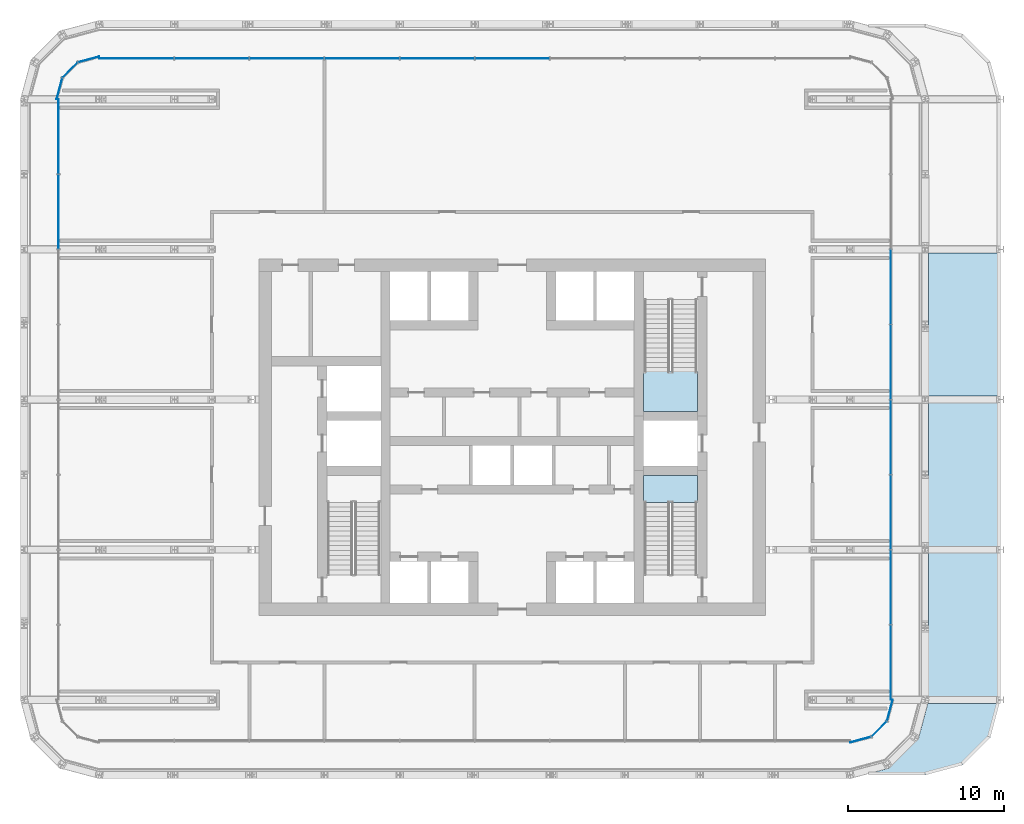
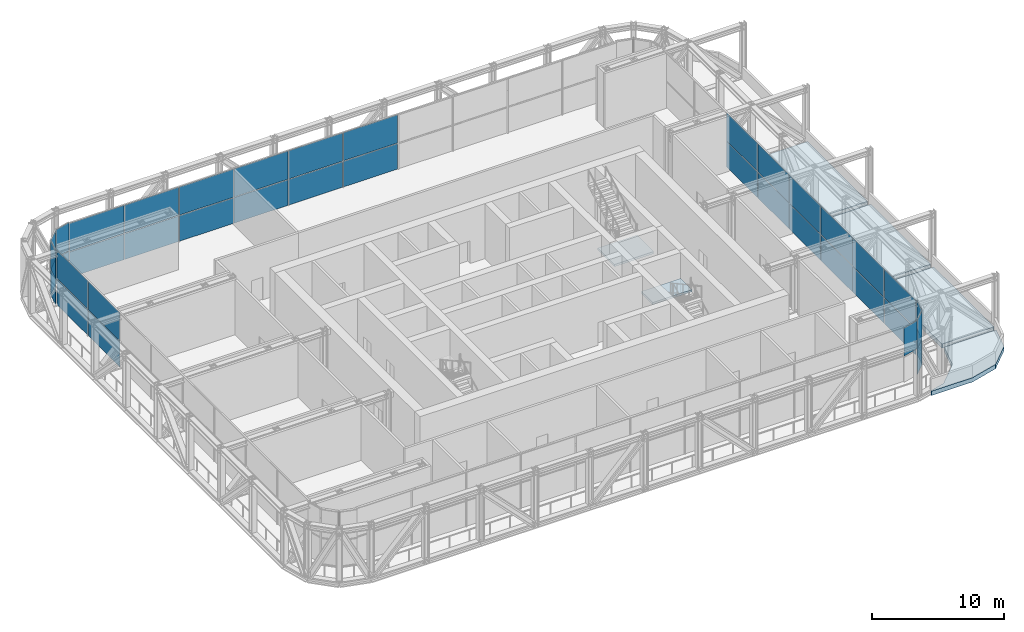
# One storey, part 15 of 25: 39 plates, 6 slabs, 7 elements without a shape of their own.
"""IFC4 building model written with IfcOpenShell, lengths in metres."""

from ifc_helpers import new_model, si_unit, direction, frame, origin, origin_2d, place, context, subcontext, project, spatial, polyline, rectangle, outline, extrude, material, layer, layer_set, type_object, element, aggregate, save


model = new_model("IFC4")

# Units and contexts
model_context = context("Model", 3, precision=1e-05, world=origin(), true_north=direction((0.0, 1.0)))
body_context = subcontext(model_context, "Body", "Model", "MODEL_VIEW")
ifc_project = project(units=[si_unit("LENGTHUNIT", "METRE"), si_unit("AREAUNIT", "SQUARE_METRE"), si_unit("VOLUMEUNIT", "CUBIC_METRE"), si_unit("PLANEANGLEUNIT", "RADIAN"), si_unit("MASSUNIT", "GRAM", prefix="KILO")], contexts=[model_context])

# Site, building, storey
site_placement = place(None, origin())
site = spatial("IfcSite", under=ifc_project, at=site_placement, CompositionType="ELEMENT")
building_placement = place(site_placement, origin())
building = spatial("IfcBuilding", under=site, at=building_placement, Name="Madar Terraces", CompositionType="ELEMENT")
storey_placement = place(building_placement, frame((0.0, 0.0, 113.699951171875)))
storey = spatial("IfcBuildingStorey", under=building, at=storey_placement, Name="L29", CompositionType="ELEMENT", Elevation=113.699951171875)

# Curtain wall, plates
ifc_material_1 = material(Name="Glass, ceramic frit dark grey, with black aluminium frame", Category="aluminium")
ifc_layer_1 = layer(ifc_material_1, 0.199951171875)
ifc_layer_set_1 = layer_set([ifc_layer_1], Name="Facade curtain wall, tall glazing")
curtain_wall_type = type_object("IfcCurtainWallType", Name="Facade curtain wall, tall glazing", PredefinedType="NOTDEFINED", material=ifc_layer_set_1)
curtain_wall_1_placement = place(storey_placement, origin())
curtain_wall_1 = element("IfcCurtainWall", 1, at=curtain_wall_1_placement, inside=storey, type_object=curtain_wall_type, Name="Outer skin curtain wall east bay 1", PredefinedType="NOTDEFINED")
ifc_material_2 = material(Name="Glass, ceramic frit dark grey", Category="glass")
ifc_layer_2 = layer(ifc_material_2, 0.028076171875)
ifc_layer_set_2 = layer_set([ifc_layer_2], Name="Facade glass panel 28")
plate_type = type_object("IfcPlateType", Name="Facade glass panel 28", PredefinedType="CURTAIN_PANEL", material=ifc_layer_set_2)
plate_1_placement = place(storey_placement, frame((55.39990234375, 11.985107421875, 0.0), z_axis=(0.0, 0.0, 1.0), x_axis=(0.0, 1.0, 0.0)))
plate_1 = element("IfcPlate", 2, at=plate_1_placement, type_object=plate_type, Name="Panel 1", PredefinedType="CURTAIN_PANEL", context=body_context, shape_type="SweptSolid", body=[
    extrude(rectangle(XDim=4.77001953125, YDim=0.028076171875, at=origin_2d()), origin(), (0.0, 0.0, 1.0), 2.3701171875),
])
plate_2_placement = place(storey_placement, frame((55.39990234375, 11.985107421875, 2.43017578125), z_axis=(0.0, 0.0, 1.0), x_axis=(0.0, 1.0, 0.0)))
plate_2 = element("IfcPlate", 3, at=plate_2_placement, type_object=plate_type, Name="Panel 2", PredefinedType="CURTAIN_PANEL", context=body_context, shape_type="SweptSolid", body=[
    extrude(rectangle(XDim=4.77001953125, YDim=0.028076171875, at=origin_2d()), origin(), (0.0, 0.0, 1.0), 2.610107421875),
])
plate_3_placement = place(storey_placement, frame((55.39990234375, 16.800048828125, 0.0), z_axis=(0.0, 0.0, 1.0), x_axis=(0.0, 1.0, 0.0)))
plate_3 = element("IfcPlate", 4, at=plate_3_placement, type_object=plate_type, Name="Panel 3", PredefinedType="CURTAIN_PANEL", context=body_context, shape_type="SweptSolid", body=[
    extrude(rectangle(XDim=4.739990234375, YDim=0.028076171875, at=origin_2d()), origin(), (0.0, 0.0, 1.0), 2.3701171875),
])
plate_4_placement = place(storey_placement, frame((55.39990234375, 16.800048828125, 2.43017578125), z_axis=(0.0, 0.0, 1.0), x_axis=(0.0, 1.0, 0.0)))
plate_4 = element("IfcPlate", 5, at=plate_4_placement, type_object=plate_type, Name="Panel 4", PredefinedType="CURTAIN_PANEL", context=body_context, shape_type="SweptSolid", body=[
    extrude(rectangle(XDim=4.739990234375, YDim=0.028076171875, at=origin_2d()), origin(), (0.0, 0.0, 1.0), 2.610107421875),
])
plate_5_placement = place(storey_placement, frame((55.39990234375, 21.60009765625, 0.0), z_axis=(0.0, 0.0, 1.0), x_axis=(0.0, 1.0, 0.0)))
plate_5 = element("IfcPlate", 6, at=plate_5_placement, type_object=plate_type, Name="Panel 5", PredefinedType="CURTAIN_PANEL", context=body_context, shape_type="SweptSolid", body=[
    extrude(rectangle(XDim=4.739990234375, YDim=0.028076171875, at=origin_2d()), origin(), (0.0, 0.0, 1.0), 2.3701171875),
])
plate_6_placement = place(storey_placement, frame((55.39990234375, 21.60009765625, 2.43017578125), z_axis=(0.0, 0.0, 1.0), x_axis=(0.0, 1.0, 0.0)))
plate_6 = element("IfcPlate", 7, at=plate_6_placement, type_object=plate_type, Name="Panel 6", PredefinedType="CURTAIN_PANEL", context=body_context, shape_type="SweptSolid", body=[
    extrude(rectangle(XDim=4.739990234375, YDim=0.028076171875, at=origin_2d()), origin(), (0.0, 0.0, 1.0), 2.610107421875),
])
plate_7_placement = place(storey_placement, frame((55.39990234375, 26.39990234375, 0.0), z_axis=(0.0, 0.0, 1.0), x_axis=(0.0, 1.0, 0.0)))
plate_7 = element("IfcPlate", 8, at=plate_7_placement, type_object=plate_type, Name="Panel 7", PredefinedType="CURTAIN_PANEL", context=body_context, shape_type="SweptSolid", body=[
    extrude(rectangle(XDim=4.739990234375, YDim=0.028076171875, at=origin_2d()), origin(), (0.0, 0.0, 1.0), 2.3701171875),
])
plate_8_placement = place(storey_placement, frame((55.39990234375, 26.39990234375, 2.43017578125), z_axis=(0.0, 0.0, 1.0), x_axis=(0.0, 1.0, 0.0)))
plate_8 = element("IfcPlate", 9, at=plate_8_placement, type_object=plate_type, Name="Panel 8", PredefinedType="CURTAIN_PANEL", context=body_context, shape_type="SweptSolid", body=[
    extrude(rectangle(XDim=4.739990234375, YDim=0.028076171875, at=origin_2d()), origin(), (0.0, 0.0, 1.0), 2.610107421875),
])
plate_9_placement = place(storey_placement, frame((55.39990234375, 31.199951171875, 0.0), z_axis=(0.0, 0.0, 1.0), x_axis=(0.0, 1.0, 0.0)))
plate_9 = element("IfcPlate", 10, at=plate_9_placement, type_object=plate_type, Name="Panel 9", PredefinedType="CURTAIN_PANEL", context=body_context, shape_type="SweptSolid", body=[
    extrude(rectangle(XDim=4.739990234375, YDim=0.028076171875, at=origin_2d()), origin(), (0.0, 0.0, 1.0), 2.3701171875),
])
plate_10_placement = place(storey_placement, frame((55.39990234375, 31.199951171875, 2.43017578125), z_axis=(0.0, 0.0, 1.0), x_axis=(0.0, 1.0, 0.0)))
plate_10 = element("IfcPlate", 11, at=plate_10_placement, type_object=plate_type, Name="Panel 10", PredefinedType="CURTAIN_PANEL", context=body_context, shape_type="SweptSolid", body=[
    extrude(rectangle(XDim=4.739990234375, YDim=0.028076171875, at=origin_2d()), origin(), (0.0, 0.0, 1.0), 2.610107421875),
])
plate_11_placement = place(storey_placement, frame((55.39990234375, 36.0, 0.0), z_axis=(0.0, 0.0, 1.0), x_axis=(0.0, 1.0, 0.0)))
plate_11 = element("IfcPlate", 12, at=plate_11_placement, type_object=plate_type, Name="Panel 11", PredefinedType="CURTAIN_PANEL", context=body_context, shape_type="SweptSolid", body=[
    extrude(rectangle(XDim=4.739990234375, YDim=0.028076171875, at=origin_2d()), origin(), (0.0, 0.0, 1.0), 2.3701171875),
])
plate_12_placement = place(storey_placement, frame((55.39990234375, 36.0, 2.43017578125), z_axis=(0.0, 0.0, 1.0), x_axis=(0.0, 1.0, 0.0)))
plate_12 = element("IfcPlate", 13, at=plate_12_placement, type_object=plate_type, Name="Panel 12", PredefinedType="CURTAIN_PANEL", context=body_context, shape_type="SweptSolid", body=[
    extrude(rectangle(XDim=4.739990234375, YDim=0.028076171875, at=origin_2d()), origin(), (0.0, 0.0, 1.0), 2.610107421875),
])
aggregate(curtain_wall_1, [plate_1, plate_2, plate_3, plate_4, plate_5, plate_6, plate_7, plate_8, plate_9, plate_10, plate_11, plate_12])

curtain_wall_2_placement = place(storey_placement, origin())
curtain_wall_2 = element("IfcCurtainWall", 14, at=curtain_wall_2_placement, inside=storey, type_object=curtain_wall_type, Name="Outer skin curtain wall north bay 1", PredefinedType="NOTDEFINED")
plate_13_placement = place(storey_placement, frame((31.199951171875, 50.60009765625, 0.0), z_axis=(0.0, 0.0, 1.0), x_axis=(-1.0, 0.0, 0.0)))
plate_13 = element("IfcPlate", 15, at=plate_13_placement, type_object=plate_type, Name="Panel 9", PredefinedType="CURTAIN_PANEL", context=body_context, shape_type="SweptSolid", body=[
    extrude(rectangle(XDim=4.739990234375, YDim=0.028076171875, at=origin_2d()), origin(), (0.0, 0.0, 1.0), 2.3701171875),
])
plate_14_placement = place(storey_placement, frame((31.199951171875, 50.60009765625, 2.43017578125), z_axis=(0.0, 0.0, 1.0), x_axis=(-1.0, 0.0, 0.0)))
plate_14 = element("IfcPlate", 16, at=plate_14_placement, type_object=plate_type, Name="Panel 10", PredefinedType="CURTAIN_PANEL", context=body_context, shape_type="SweptSolid", body=[
    extrude(rectangle(XDim=4.739990234375, YDim=0.028076171875, at=origin_2d()), origin(), (0.0, 0.0, 1.0), 2.610107421875),
])
plate_15_placement = place(storey_placement, frame((26.39990234375, 50.60009765625, 0.0), z_axis=(0.0, 0.0, 1.0), x_axis=(-1.0, 0.0, 0.0)))
plate_15 = element("IfcPlate", 17, at=plate_15_placement, type_object=plate_type, Name="Panel 11", PredefinedType="CURTAIN_PANEL", context=body_context, shape_type="SweptSolid", body=[
    extrude(rectangle(XDim=4.739990234375, YDim=0.028076171875, at=origin_2d()), origin(), (0.0, 0.0, 1.0), 2.3701171875),
])
plate_16_placement = place(storey_placement, frame((26.39990234375, 50.60009765625, 2.43017578125), z_axis=(0.0, 0.0, 1.0), x_axis=(-1.0, 0.0, 0.0)))
plate_16 = element("IfcPlate", 18, at=plate_16_placement, type_object=plate_type, Name="Panel 12", PredefinedType="CURTAIN_PANEL", context=body_context, shape_type="SweptSolid", body=[
    extrude(rectangle(XDim=4.739990234375, YDim=0.028076171875, at=origin_2d()), origin(), (0.0, 0.0, 1.0), 2.610107421875),
])
plate_17_placement = place(storey_placement, frame((21.60009765625, 50.60009765625, 0.0), z_axis=(0.0, 0.0, 1.0), x_axis=(-1.0, 0.0, 0.0)))
plate_17 = element("IfcPlate", 19, at=plate_17_placement, type_object=plate_type, Name="Panel 13", PredefinedType="CURTAIN_PANEL", context=body_context, shape_type="SweptSolid", body=[
    extrude(rectangle(XDim=4.739990234375, YDim=0.028076171875, at=origin_2d()), origin(), (0.0, 0.0, 1.0), 2.3701171875),
])
plate_18_placement = place(storey_placement, frame((21.60009765625, 50.60009765625, 2.43017578125), z_axis=(0.0, 0.0, 1.0), x_axis=(-1.0, 0.0, 0.0)))
plate_18 = element("IfcPlate", 20, at=plate_18_placement, type_object=plate_type, Name="Panel 14", PredefinedType="CURTAIN_PANEL", context=body_context, shape_type="SweptSolid", body=[
    extrude(rectangle(XDim=4.739990234375, YDim=0.028076171875, at=origin_2d()), origin(), (0.0, 0.0, 1.0), 2.610107421875),
])
plate_19_placement = place(storey_placement, frame((16.800048828125, 50.60009765625, 0.0), z_axis=(0.0, 0.0, 1.0), x_axis=(-1.0, 0.0, 0.0)))
plate_19 = element("IfcPlate", 21, at=plate_19_placement, type_object=plate_type, Name="Panel 15", PredefinedType="CURTAIN_PANEL", context=body_context, shape_type="SweptSolid", body=[
    extrude(rectangle(XDim=4.739990234375, YDim=0.028076171875, at=origin_2d()), origin(), (0.0, 0.0, 1.0), 2.3701171875),
])
plate_20_placement = place(storey_placement, frame((16.800048828125, 50.60009765625, 2.43017578125), z_axis=(0.0, 0.0, 1.0), x_axis=(-1.0, 0.0, 0.0)))
plate_20 = element("IfcPlate", 22, at=plate_20_placement, type_object=plate_type, Name="Panel 16", PredefinedType="CURTAIN_PANEL", context=body_context, shape_type="SweptSolid", body=[
    extrude(rectangle(XDim=4.739990234375, YDim=0.028076171875, at=origin_2d()), origin(), (0.0, 0.0, 1.0), 2.610107421875),
])
plate_21_placement = place(storey_placement, frame((12.0, 50.60009765625, 0.0), z_axis=(0.0, 0.0, 1.0), x_axis=(-1.0, 0.0, 0.0)))
plate_21 = element("IfcPlate", 23, at=plate_21_placement, type_object=plate_type, Name="Panel 17", PredefinedType="CURTAIN_PANEL", context=body_context, shape_type="SweptSolid", body=[
    extrude(rectangle(XDim=4.739990234375, YDim=0.028076171875, at=origin_2d()), origin(), (0.0, 0.0, 1.0), 2.3701171875),
])
plate_22_placement = place(storey_placement, frame((12.0, 50.60009765625, 2.43017578125), z_axis=(0.0, 0.0, 1.0), x_axis=(-1.0, 0.0, 0.0)))
plate_22 = element("IfcPlate", 24, at=plate_22_placement, type_object=plate_type, Name="Panel 18", PredefinedType="CURTAIN_PANEL", context=body_context, shape_type="SweptSolid", body=[
    extrude(rectangle(XDim=4.739990234375, YDim=0.028076171875, at=origin_2d()), origin(), (0.0, 0.0, 1.0), 2.610107421875),
])
plate_23_placement = place(storey_placement, frame((7.18505859375, 50.60009765625, 0.0), z_axis=(0.0, 0.0, 1.0), x_axis=(-1.0, 0.0, 0.0)))
plate_23 = element("IfcPlate", 25, at=plate_23_placement, type_object=plate_type, Name="Panel 19", PredefinedType="CURTAIN_PANEL", context=body_context, shape_type="SweptSolid", body=[
    extrude(rectangle(XDim=4.77001953125, YDim=0.028076171875, at=origin_2d()), origin(), (0.0, 0.0, 1.0), 2.3701171875),
])
plate_24_placement = place(storey_placement, frame((7.18505859375, 50.60009765625, 2.43017578125), z_axis=(0.0, 0.0, 1.0), x_axis=(-1.0, 0.0, 0.0)))
plate_24 = element("IfcPlate", 26, at=plate_24_placement, type_object=plate_type, Name="Panel 20", PredefinedType="CURTAIN_PANEL", context=body_context, shape_type="SweptSolid", body=[
    extrude(rectangle(XDim=4.77001953125, YDim=0.028076171875, at=origin_2d()), origin(), (0.0, 0.0, 1.0), 2.610107421875),
])
aggregate(curtain_wall_2, [plate_13, plate_14, plate_15, plate_16, plate_17, plate_18, plate_19, plate_20, plate_21, plate_22, plate_23, plate_24])

curtain_wall_3_placement = place(storey_placement, origin())
curtain_wall_3 = element("IfcCurtainWall", 27, at=curtain_wall_3_placement, inside=storey, type_object=curtain_wall_type, Name="Outer skin curtain wall west bay 1", PredefinedType="NOTDEFINED")
plate_25_placement = place(storey_placement, frame((2.199951171875, 45.614990234375, 0.0), z_axis=(0.0, 0.0, 1.0), x_axis=(0.0, -1.0, 0.0)))
plate_25 = element("IfcPlate", 28, at=plate_25_placement, type_object=plate_type, Name="Panel 1", PredefinedType="CURTAIN_PANEL", context=body_context, shape_type="SweptSolid", body=[
    extrude(rectangle(XDim=4.77001953125, YDim=0.028076171875, at=origin_2d()), origin(), (0.0, 0.0, 1.0), 2.3701171875),
])
plate_26_placement = place(storey_placement, frame((2.199951171875, 45.614990234375, 2.43017578125), z_axis=(0.0, 0.0, 1.0), x_axis=(0.0, -1.0, 0.0)))
plate_26 = element("IfcPlate", 29, at=plate_26_placement, type_object=plate_type, Name="Panel 2", PredefinedType="CURTAIN_PANEL", context=body_context, shape_type="SweptSolid", body=[
    extrude(rectangle(XDim=4.77001953125, YDim=0.028076171875, at=origin_2d()), origin(), (0.0, 0.0, 1.0), 2.610107421875),
])
plate_27_placement = place(storey_placement, frame((2.199951171875, 40.800048828125, 0.0), z_axis=(0.0, 0.0, 1.0), x_axis=(0.0, -1.0, 0.0)))
plate_27 = element("IfcPlate", 30, at=plate_27_placement, type_object=plate_type, Name="Panel 3", PredefinedType="CURTAIN_PANEL", context=body_context, shape_type="SweptSolid", body=[
    extrude(rectangle(XDim=4.739990234375, YDim=0.028076171875, at=origin_2d()), origin(), (0.0, 0.0, 1.0), 2.3701171875),
])
plate_28_placement = place(storey_placement, frame((2.199951171875, 40.800048828125, 2.43017578125), z_axis=(0.0, 0.0, 1.0), x_axis=(0.0, -1.0, 0.0)))
plate_28 = element("IfcPlate", 31, at=plate_28_placement, type_object=plate_type, Name="Panel 4", PredefinedType="CURTAIN_PANEL", context=body_context, shape_type="SweptSolid", body=[
    extrude(rectangle(XDim=4.739990234375, YDim=0.028076171875, at=origin_2d()), origin(), (0.0, 0.0, 1.0), 2.610107421875),
])
aggregate(curtain_wall_3, [plate_25, plate_26, plate_27, plate_28])

curtain_wall_4_placement = place(storey_placement, origin())
curtain_wall_4 = element("IfcCurtainWall", 32, at=curtain_wall_4_placement, inside=storey, type_object=curtain_wall_type, Name="Outer skin curtain wall south-east corner", PredefinedType="NOTDEFINED")
plate_29_placement = place(storey_placement, frame((53.465576171875, 7.058349609375, 2.43017578125), z_axis=(0.0, 0.0, 1.0), x_axis=(0.965925808834, 0.258819110244, 0.0)))
plate_29 = element("IfcPlate", 33, at=plate_29_placement, type_object=plate_type, Name="Panel 2", PredefinedType="CURTAIN_PANEL", context=body_context, shape_type="SweptSolid", body=[
    extrude(rectangle(XDim=1.3779296875, YDim=0.028076171875, at=origin_2d()), origin(), (0.0, 0.0, 1.0), 2.610107421875),
])
plate_30_placement = place(storey_placement, frame((54.65771484375, 7.7421875, 0.0), z_axis=(0.0, 0.0, 1.0), x_axis=(0.707106781187, 0.707106781187, 0.0)))
plate_30 = element("IfcPlate", 34, at=plate_30_placement, type_object=plate_type, Name="Panel 3", PredefinedType="CURTAIN_PANEL", context=body_context, shape_type="SweptSolid", body=[
    extrude(rectangle(XDim=1.347900390625, YDim=0.028076171875, at=origin_2d()), origin(), (0.0, 0.0, 1.0), 2.3701171875),
])
plate_31_placement = place(storey_placement, frame((54.65771484375, 7.7421875, 2.43017578125), z_axis=(0.0, 0.0, 1.0), x_axis=(0.707106781187, 0.707106781187, 0.0)))
plate_31 = element("IfcPlate", 35, at=plate_31_placement, type_object=plate_type, Name="Panel 4", PredefinedType="CURTAIN_PANEL", context=body_context, shape_type="SweptSolid", body=[
    extrude(rectangle(XDim=1.347900390625, YDim=0.028076171875, at=origin_2d()), origin(), (0.0, 0.0, 1.0), 2.610107421875),
])
plate_32_placement = place(storey_placement, frame((55.341796875, 8.9345703125, 0.0), z_axis=(0.0, 0.0, 1.0), x_axis=(0.258819110244, 0.965925808834, 0.0)))
plate_32 = element("IfcPlate", 36, at=plate_32_placement, type_object=plate_type, Name="Panel 5", PredefinedType="CURTAIN_PANEL", context=body_context, shape_type="SweptSolid", body=[
    extrude(rectangle(XDim=1.3779296875, YDim=0.028076171875, at=origin_2d()), origin(), (0.0, 0.0, 1.0), 2.3701171875),
])
plate_33_placement = place(storey_placement, frame((55.341796875, 8.9345703125, 2.43017578125), z_axis=(0.0, 0.0, 1.0), x_axis=(0.258819110244, 0.965925808834, 0.0)))
plate_33 = element("IfcPlate", 37, at=plate_33_placement, type_object=plate_type, Name="Panel 6", PredefinedType="CURTAIN_PANEL", context=body_context, shape_type="SweptSolid", body=[
    extrude(rectangle(XDim=1.3779296875, YDim=0.028076171875, at=origin_2d()), origin(), (0.0, 0.0, 1.0), 2.610107421875),
])
aggregate(curtain_wall_4, [plate_29, plate_30, plate_31, plate_32, plate_33])

curtain_wall_5_placement = place(storey_placement, origin())
curtain_wall_5 = element("IfcCurtainWall", 38, at=curtain_wall_5_placement, inside=storey, type_object=curtain_wall_type, Name="Outer skin curtain wall north-west corner", PredefinedType="NOTDEFINED")
plate_34_placement = place(storey_placement, frame((4.134521484375, 50.541748046875, 0.0), z_axis=(0.0, 0.0, 1.0), x_axis=(-0.965925808834, -0.258819110244, 0.0)))
plate_34 = element("IfcPlate", 39, at=plate_34_placement, type_object=plate_type, Name="Panel 1", PredefinedType="CURTAIN_PANEL", context=body_context, shape_type="SweptSolid", body=[
    extrude(rectangle(XDim=1.3779296875, YDim=0.028076171875, at=origin_2d()), origin(), (0.0, 0.0, 1.0), 2.3701171875),
])
plate_35_placement = place(storey_placement, frame((4.134521484375, 50.541748046875, 2.43017578125), z_axis=(0.0, 0.0, 1.0), x_axis=(-0.965925808834, -0.258819110244, 0.0)))
plate_35 = element("IfcPlate", 40, at=plate_35_placement, type_object=plate_type, Name="Panel 2", PredefinedType="CURTAIN_PANEL", context=body_context, shape_type="SweptSolid", body=[
    extrude(rectangle(XDim=1.3779296875, YDim=0.028076171875, at=origin_2d()), origin(), (0.0, 0.0, 1.0), 2.610107421875),
])
plate_36_placement = place(storey_placement, frame((2.942138671875, 49.85791015625, 0.0), z_axis=(0.0, 0.0, 1.0), x_axis=(-0.707106781187, -0.707106781187, 0.0)))
plate_36 = element("IfcPlate", 41, at=plate_36_placement, type_object=plate_type, Name="Panel 3", PredefinedType="CURTAIN_PANEL", context=body_context, shape_type="SweptSolid", body=[
    extrude(rectangle(XDim=1.347900390625, YDim=0.028076171875, at=origin_2d()), origin(), (0.0, 0.0, 1.0), 2.3701171875),
])
plate_37_placement = place(storey_placement, frame((2.942138671875, 49.85791015625, 2.43017578125), z_axis=(0.0, 0.0, 1.0), x_axis=(-0.707106781187, -0.707106781187, 0.0)))
plate_37 = element("IfcPlate", 42, at=plate_37_placement, type_object=plate_type, Name="Panel 4", PredefinedType="CURTAIN_PANEL", context=body_context, shape_type="SweptSolid", body=[
    extrude(rectangle(XDim=1.347900390625, YDim=0.028076171875, at=origin_2d()), origin(), (0.0, 0.0, 1.0), 2.610107421875),
])
plate_38_placement = place(storey_placement, frame((2.25830078125, 48.66552734375, 0.0), z_axis=(0.0, 0.0, 1.0), x_axis=(-0.258819110244, -0.965925808834, 0.0)))
plate_38 = element("IfcPlate", 43, at=plate_38_placement, type_object=plate_type, Name="Panel 5", PredefinedType="CURTAIN_PANEL", context=body_context, shape_type="SweptSolid", body=[
    extrude(rectangle(XDim=1.3779296875, YDim=0.028076171875, at=origin_2d()), origin(), (0.0, 0.0, 1.0), 2.3701171875),
])
plate_39_placement = place(storey_placement, frame((2.25830078125, 48.66552734375, 2.43017578125), z_axis=(0.0, 0.0, 1.0), x_axis=(-0.258819110244, -0.965925808834, 0.0)))
plate_39 = element("IfcPlate", 44, at=plate_39_placement, type_object=plate_type, Name="Panel 6", PredefinedType="CURTAIN_PANEL", context=body_context, shape_type="SweptSolid", body=[
    extrude(rectangle(XDim=1.3779296875, YDim=0.028076171875, at=origin_2d()), origin(), (0.0, 0.0, 1.0), 2.610107421875),
])
aggregate(curtain_wall_5, [plate_34, plate_35, plate_36, plate_37, plate_38, plate_39])

# Stair, slab
ifc_material_3 = material(Name="Concrete C50/60", Category="concrete")
stair_type_1 = type_object("IfcStairType", Name="Stair ST2 protected exit", PredefinedType="HALF_TURN_STAIR", material=ifc_material_3)
stair_1_placement = place(storey_placement, origin())
stair_1 = element("IfcStair", 45, at=stair_1_placement, inside=storey, type_object=stair_type_1, Name="L29 Protected Exit Stair ST2", PredefinedType="HALF_TURN_STAIR")
ifc_material_4 = material(Name="Concrete C50/60", Category="concrete")
ifc_layer_3 = layer(ifc_material_4, 0.199951171875)
ifc_layer_set_3 = layer_set([ifc_layer_3], Name="Stair landing 200, top +2.70")
slab_type_1 = type_object("IfcSlabType", Name="Stair landing 200, top +2.70", PredefinedType="LANDING", material=ifc_layer_set_3)
slab_1_placement = place(storey_placement, frame((0.0, 0.0, 2.5)))
slab_1 = element("IfcSlab", 46, at=slab_1_placement, type_object=slab_type_1, Name="ST2 landing 1", PredefinedType="LANDING", context=body_context, shape_type="SweptSolid", body=[
    extrude(outline(polyline([(39.60009765625, 28.050048828125), (43.050048828125, 28.050048828125), (43.050048828125, 30.580078125), (39.60009765625, 30.580078125), (39.60009765625, 28.050048828125)])), origin(), (0.0, 0.0, 1.0), 0.199951171875),
])
aggregate(stair_1, [slab_1])

ifc_material_5 = material(Name="Concrete C50/60", Category="concrete")
stair_type_2 = type_object("IfcStairType", Name="Stair ST3 protected exit", PredefinedType="HALF_TURN_STAIR", material=ifc_material_5)
stair_2_placement = place(storey_placement, origin())
stair_2 = element("IfcStair", 47, at=stair_2_placement, inside=storey, type_object=stair_type_2, Name="L29 Protected Exit Stair ST3", PredefinedType="HALF_TURN_STAIR")
slab_2_placement = place(storey_placement, frame((0.0, 0.0, 2.5)))
slab_2 = element("IfcSlab", 48, at=slab_2_placement, type_object=slab_type_1, Name="ST3 landing 1", PredefinedType="LANDING", context=body_context, shape_type="SweptSolid", body=[
    extrude(outline(polyline([(39.60009765625, 22.219970703125), (43.050048828125, 22.219970703125), (43.050048828125, 23.949951171875), (39.60009765625, 23.949951171875), (39.60009765625, 22.219970703125)])), origin(), (0.0, 0.0, 1.0), 0.199951171875),
])
aggregate(stair_2, [slab_2])

# Slabs
ifc_material_6 = material(Name="Concrete C50/60", Category="concrete")
ifc_layer_4 = layer(ifc_material_6, 0.39990234375)
ifc_layer_set_4 = layer_set([ifc_layer_4], Name="TS1 PT terrace slab 400")
slab_type_2 = type_object("IfcSlabType", Name="TS1 PT terrace slab 400", PredefinedType="FLOOR", material=ifc_layer_set_4)
slab_3_placement = place(storey_placement, frame((0.0, 0.0, -0.39990234375)))
element("IfcSlab", 49, at=slab_3_placement, inside=storey, type_object=slab_type_2, Name="Terrace roof slab L29 (1)", PredefinedType="FLOOR", context=body_context, shape_type="SweptSolid", body=[
    extrude(outline(polyline([(55.3154296875, 5.245849609375), (55.314453125, 5.2451171875), (55.313232421875, 5.24462890625), (54.020751953125, 4.898193359375), (54.015869140625, 4.896728515625), (54.011474609375, 4.894775390625), (54.007080078125, 4.892333984375), (54.0029296875, 4.8896484375), (53.999267578125, 4.88623046875), (53.995849609375, 4.8828125), (53.99267578125, 4.87890625), (53.989990234375, 4.87451171875), (53.98779296875, 4.8701171875), (53.986083984375, 4.865478515625), (53.98486328125, 4.86083984375), (53.98388671875, 4.85595703125), (53.983642578125, 4.850830078125), (53.983642578125, 4.845947265625), (53.984375, 4.841064453125), (53.985595703125, 4.836181640625), (53.987060546875, 4.83154296875), (53.9892578125, 4.826904296875), (53.99169921875, 4.82275390625), (53.99462890625, 4.818603515625), (53.997802734375, 4.81494140625), (54.00146484375, 4.8115234375), (54.005615234375, 4.80859375), (54.009765625, 4.80615234375), (54.01416015625, 4.803955078125), (54.018798828125, 4.80224609375), (54.023681640625, 4.801025390625), (54.028564453125, 4.80029296875), (54.03369140625, 4.800048828125), (57.593505859375, 4.800048828125), (57.59765625, 4.80029296875), (57.60205078125, 4.80078125), (57.6064453125, 4.8017578125), (59.987060546875, 5.439697265625), (59.991943359375, 5.441162109375), (59.996826171875, 5.443359375), (60.00146484375, 5.446044921875), (60.005615234375, 5.448974609375), (60.009521484375, 5.45263671875), (61.74755859375, 7.1904296875), (61.7509765625, 7.1943359375), (61.75390625, 7.19873046875), (61.756591796875, 7.203125), (61.7587890625, 7.2080078125), (61.760498046875, 7.212890625), (62.323974609375, 9.316162109375), (62.324951171875, 9.32080078125), (62.325439453125, 9.32568359375), (62.32568359375, 9.330322265625), (62.3251953125, 9.335205078125), (62.324462890625, 9.33984375), (62.3232421875, 9.344482421875), (62.321533203125, 9.34912109375), (62.3193359375, 9.353515625), (62.316650390625, 9.357421875), (62.313720703125, 9.361328125), (62.310546875, 9.36474609375), (62.306884765625, 9.3681640625), (62.302978515625, 9.370849609375), (62.298828125, 9.373291015625), (62.29443359375, 9.375244140625), (62.289794921875, 9.376953125), (62.28515625, 9.378173828125), (62.280517578125, 9.37890625), (62.275634765625, 9.37890625), (57.807861328125, 9.37890625), (57.802978515625, 9.378662109375), (57.7978515625, 9.3779296875), (57.79296875, 9.376708984375), (57.788330078125, 9.375), (57.78369140625, 9.372802734375), (57.779541015625, 9.3701171875), (57.775634765625, 9.3671875), (57.77197265625, 9.36376953125), (57.7685546875, 9.35986328125), (57.765625, 9.355712890625), (57.76318359375, 9.351318359375), (57.76123046875, 9.3466796875), (57.759521484375, 9.342041015625), (57.1552734375, 7.0869140625), (57.155029296875, 7.085693359375), (57.154052734375, 7.084716796875), (55.3154296875, 5.245849609375)])), origin(), (0.0, 0.0, 1.0), 0.39990234375),
])
slab_4_placement = place(storey_placement, frame((0.0, 0.0, -0.39990234375)))
element("IfcSlab", 50, at=slab_4_placement, inside=storey, type_object=slab_type_2, Name="Terrace roof slab L29 (3)", PredefinedType="FLOOR", context=body_context, shape_type="SweptSolid", body=[
    extrude(outline(polyline([(62.39892578125, 9.861328125), (62.399658203125, 9.865966796875), (62.39990234375, 9.87109375), (62.39990234375, 18.928955078125), (62.399658203125, 18.933837890625), (62.39892578125, 18.938720703125), (62.39794921875, 18.943603515625), (62.396240234375, 18.9482421875), (62.39404296875, 18.95263671875), (62.3916015625, 18.956787109375), (62.388671875, 18.960693359375), (62.38525390625, 18.96435546875), (62.3818359375, 18.9677734375), (62.377685546875, 18.970703125), (62.37353515625, 18.97314453125), (62.369140625, 18.97509765625), (62.364501953125, 18.976806640625), (62.35986328125, 18.97802734375), (62.35498046875, 18.978759765625), (62.35009765625, 18.97900390625), (57.87109375, 18.97900390625), (57.865966796875, 18.978759765625), (57.861328125, 18.97802734375), (57.8564453125, 18.976806640625), (57.851806640625, 18.97509765625), (57.847412109375, 18.97314453125), (57.84326171875, 18.970703125), (57.83935546875, 18.9677734375), (57.835693359375, 18.96435546875), (57.832275390625, 18.960693359375), (57.829345703125, 18.956787109375), (57.826904296875, 18.95263671875), (57.82470703125, 18.9482421875), (57.8232421875, 18.943603515625), (57.822021484375, 18.938720703125), (57.8212890625, 18.933837890625), (57.821044921875, 18.928955078125), (57.821044921875, 9.87109375), (57.8212890625, 9.865966796875), (57.822021484375, 9.861328125), (57.8232421875, 9.8564453125), (57.82470703125, 9.851806640625), (57.826904296875, 9.847412109375), (57.829345703125, 9.84326171875), (57.832275390625, 9.83935546875), (57.835693359375, 9.835693359375), (57.83935546875, 9.832275390625), (57.84326171875, 9.829345703125), (57.847412109375, 9.826904296875), (57.851806640625, 9.82470703125), (57.8564453125, 9.8232421875), (57.861328125, 9.822021484375), (57.865966796875, 9.8212890625), (57.87109375, 9.821044921875), (62.35009765625, 9.821044921875), (62.35498046875, 9.8212890625), (62.35986328125, 9.822021484375), (62.364501953125, 9.8232421875), (62.369140625, 9.82470703125), (62.37353515625, 9.826904296875), (62.377685546875, 9.829345703125), (62.3818359375, 9.832275390625), (62.38525390625, 9.835693359375), (62.388671875, 9.83935546875), (62.3916015625, 9.84326171875), (62.39404296875, 9.847412109375), (62.396240234375, 9.851806640625), (62.39794921875, 9.8564453125), (62.39892578125, 9.861328125)])), origin(), (0.0, 0.0, 1.0), 0.39990234375),
])
slab_5_placement = place(storey_placement, frame((0.0, 0.0, -0.39990234375)))
element("IfcSlab", 51, at=slab_5_placement, inside=storey, type_object=slab_type_2, Name="Terrace roof slab L29 (4)", PredefinedType="FLOOR", context=body_context, shape_type="SweptSolid", body=[
    extrude(outline(polyline([(62.39892578125, 19.461181640625), (62.399658203125, 19.466064453125), (62.39990234375, 19.470947265625), (62.39990234375, 28.529052734375), (62.399658203125, 28.533935546875), (62.39892578125, 28.538818359375), (62.39794921875, 28.54345703125), (62.396240234375, 28.548095703125), (62.39404296875, 28.552490234375), (62.3916015625, 28.556884765625), (62.388671875, 28.560791015625), (62.38525390625, 28.564453125), (62.3818359375, 28.567626953125), (62.377685546875, 28.570556640625), (62.37353515625, 28.572998046875), (62.369140625, 28.5751953125), (62.364501953125, 28.576904296875), (62.35986328125, 28.578125), (62.35498046875, 28.578857421875), (62.35009765625, 28.5791015625), (57.87109375, 28.5791015625), (57.865966796875, 28.578857421875), (57.861328125, 28.578125), (57.8564453125, 28.576904296875), (57.851806640625, 28.5751953125), (57.847412109375, 28.572998046875), (57.84326171875, 28.570556640625), (57.83935546875, 28.567626953125), (57.835693359375, 28.564453125), (57.832275390625, 28.560791015625), (57.829345703125, 28.556884765625), (57.826904296875, 28.552490234375), (57.82470703125, 28.548095703125), (57.8232421875, 28.54345703125), (57.822021484375, 28.538818359375), (57.8212890625, 28.533935546875), (57.821044921875, 28.529052734375), (57.821044921875, 19.470947265625), (57.8212890625, 19.466064453125), (57.822021484375, 19.461181640625), (57.8232421875, 19.45654296875), (57.82470703125, 19.451904296875), (57.826904296875, 19.447509765625), (57.829345703125, 19.443115234375), (57.832275390625, 19.439208984375), (57.835693359375, 19.435546875), (57.83935546875, 19.432373046875), (57.84326171875, 19.429443359375), (57.847412109375, 19.427001953125), (57.851806640625, 19.4248046875), (57.8564453125, 19.423095703125), (57.861328125, 19.421875), (57.865966796875, 19.421142578125), (57.87109375, 19.4208984375), (62.35009765625, 19.4208984375), (62.35498046875, 19.421142578125), (62.35986328125, 19.421875), (62.364501953125, 19.423095703125), (62.369140625, 19.4248046875), (62.37353515625, 19.427001953125), (62.377685546875, 19.429443359375), (62.3818359375, 19.432373046875), (62.38525390625, 19.435546875), (62.388671875, 19.439208984375), (62.3916015625, 19.443115234375), (62.39404296875, 19.447509765625), (62.396240234375, 19.451904296875), (62.39794921875, 19.45654296875), (62.39892578125, 19.461181640625)])), origin(), (0.0, 0.0, 1.0), 0.39990234375),
])
slab_6_placement = place(storey_placement, frame((0.0, 0.0, -0.39990234375)))
element("IfcSlab", 52, at=slab_6_placement, inside=storey, type_object=slab_type_2, Name="Terrace roof slab L29 (5)", PredefinedType="FLOOR", context=body_context, shape_type="SweptSolid", body=[
    extrude(outline(polyline([(62.399658203125, 29.066162109375), (62.39990234375, 29.071044921875), (62.39990234375, 38.12890625), (62.399658203125, 38.134033203125), (62.39892578125, 38.138671875), (62.39794921875, 38.1435546875), (62.396240234375, 38.148193359375), (62.39404296875, 38.152587890625), (62.3916015625, 38.15673828125), (62.388671875, 38.16064453125), (62.38525390625, 38.164306640625), (62.3818359375, 38.167724609375), (62.377685546875, 38.170654296875), (62.37353515625, 38.173095703125), (62.369140625, 38.17529296875), (62.364501953125, 38.1767578125), (62.35986328125, 38.177978515625), (62.35498046875, 38.1787109375), (62.35009765625, 38.178955078125), (57.87109375, 38.178955078125), (57.865966796875, 38.1787109375), (57.861328125, 38.177978515625), (57.8564453125, 38.1767578125), (57.851806640625, 38.17529296875), (57.847412109375, 38.173095703125), (57.84326171875, 38.170654296875), (57.83935546875, 38.167724609375), (57.835693359375, 38.164306640625), (57.832275390625, 38.16064453125), (57.829345703125, 38.15673828125), (57.826904296875, 38.152587890625), (57.82470703125, 38.148193359375), (57.8232421875, 38.1435546875), (57.822021484375, 38.138671875), (57.8212890625, 38.134033203125), (57.821044921875, 38.12890625), (57.821044921875, 29.071044921875), (57.8212890625, 29.066162109375), (57.822021484375, 29.061279296875), (57.8232421875, 29.056396484375), (57.82470703125, 29.0517578125), (57.826904296875, 29.04736328125), (57.829345703125, 29.043212890625), (57.832275390625, 29.039306640625), (57.835693359375, 29.03564453125), (57.83935546875, 29.0322265625), (57.84326171875, 29.029296875), (57.847412109375, 29.02685546875), (57.851806640625, 29.02490234375), (57.8564453125, 29.023193359375), (57.861328125, 29.02197265625), (57.865966796875, 29.021240234375), (57.87109375, 29.02099609375), (62.35009765625, 29.02099609375), (62.35498046875, 29.021240234375), (62.35986328125, 29.02197265625), (62.364501953125, 29.023193359375), (62.369140625, 29.02490234375), (62.37353515625, 29.02685546875), (62.377685546875, 29.029296875), (62.3818359375, 29.0322265625), (62.38525390625, 29.03564453125), (62.388671875, 29.039306640625), (62.3916015625, 29.043212890625), (62.39404296875, 29.04736328125), (62.396240234375, 29.0517578125), (62.39794921875, 29.056396484375), (62.39892578125, 29.061279296875), (62.399658203125, 29.066162109375)])), origin(), (0.0, 0.0, 1.0), 0.39990234375),
])

save(model, "model.ifc")
